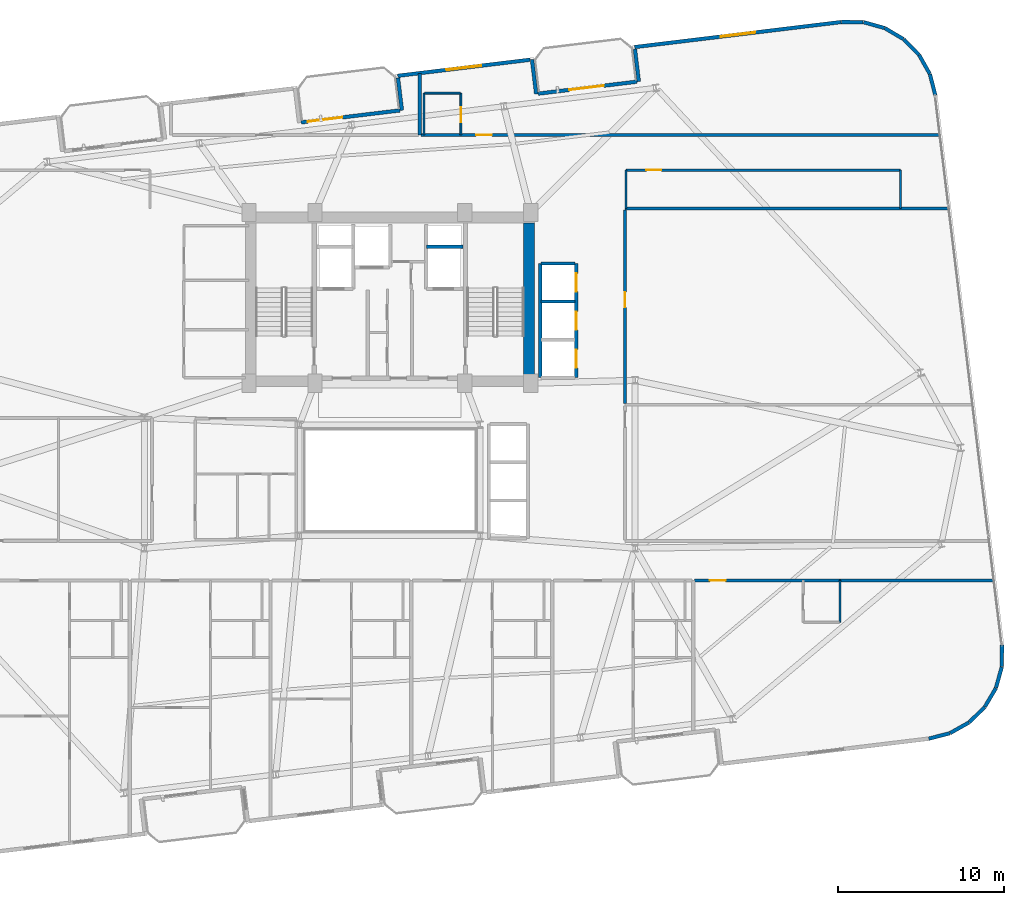
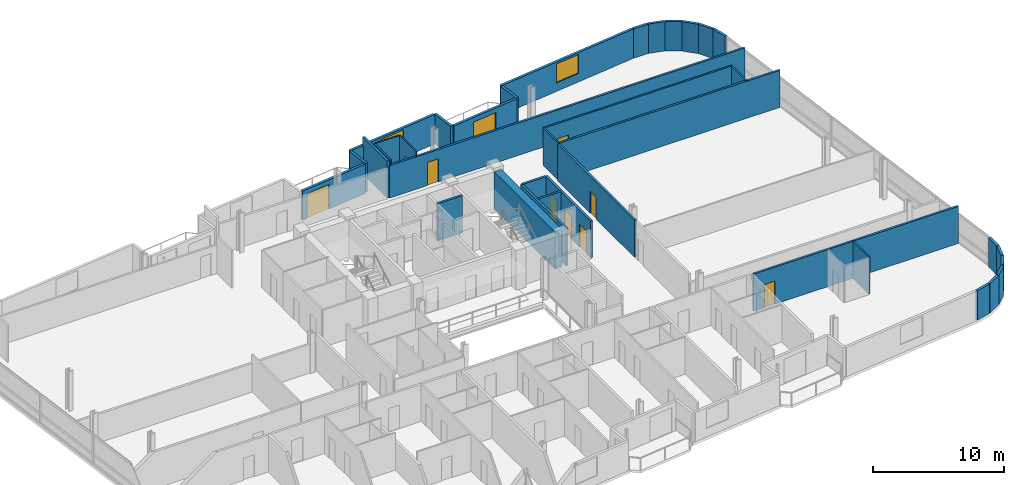
# One storey, part 18 of 23: 37 walls, 10 doors, 2 windows, 12 openings.
"""IFC4 building model written with IfcOpenShell, lengths in metres."""

import ifcopenshell
import ifcopenshell.guid

model = None  # the IFC model being written
_history = None  # IfcOwnerHistory: only IFC2X3 demands one
_inside = {}  # id of a spatial element -> (the spatial element, [elements in it])
_under = {}  # id of a project, library or spatial element -> (it, [spatial elements below it])
_declared = {}  # id of a project -> (the project, [libraries it declares])
_typed = {}  # id of a type object -> (the type object, [elements of that type])
_made_of = {}  # id of a material, layer set ... -> (it, [elements and type objects made of it])


def new_model(schema):
    """Start an empty IFC model of exactly this schema.

    Asked for "IFC4X3", IfcOpenShell would pick the latest addendum, in which some entities
    have other attributes; the version numbers below select the first issue.
    IFC2X3 requires an IfcOwnerHistory on every rooted entity: one is made here for all.
    """
    global model, _history
    if schema == "IFC4X3":
        model = ifcopenshell.file(schema_version=(4, 3, 0, 0))
    else:
        model = ifcopenshell.file(schema=schema)
    _inside.clear()
    _under.clear()
    _declared.clear()
    _typed.clear()
    _made_of.clear()
    _history = None
    if model.schema == "IFC2X3":
        org = make("IfcOrganization", Name="unknown")
        user = make(
            "IfcPersonAndOrganization",
            ThePerson=make("IfcPerson", FamilyName="unknown"),
            TheOrganization=org,
        )
        app = make(
            "IfcApplication",
            ApplicationDeveloper=org,
            Version="unknown",
            ApplicationFullName="unknown",
            ApplicationIdentifier="unknown",
        )
        _history = make(
            "IfcOwnerHistory",
            OwningUser=user,
            OwningApplication=app,
            ChangeAction="ADDED",
            CreationDate=0,
        )
    return model


def make(cls, **values):
    """One entity of the class cls with the attributes given. An attribute that is None is left unset."""
    return model.create_entity(
        cls, **{name: value for name, value in values.items() if value is not None}
    )


def rooted(cls, **values):
    """An entity with a GlobalId (a new one), such as an element, a storey or a relation."""
    return make(cls, GlobalId=ifcopenshell.guid.new(), OwnerHistory=_history, **values)


def si_unit(unit_type, name, prefix=None):
    """IfcSIUnit, for example si_unit("LENGTHUNIT", "METRE", prefix="MILLI")."""
    return make("IfcSIUnit", UnitType=unit_type, Prefix=prefix, Name=name)


def assignment(units):
    """IfcUnitAssignment: the units of a project."""
    return None if units is None else make("IfcUnitAssignment", Units=units)


def point(xyz):
    """IfcCartesianPoint."""
    return None if xyz is None else make("IfcCartesianPoint", Coordinates=xyz)


def direction(xyz):
    """IfcDirection."""
    return None if xyz is None else make("IfcDirection", DirectionRatios=xyz)


def frame(location, z_axis=None, x_axis=None):
    """IfcAxis2Placement3D, a coordinate frame: its origin and axes. An axis left out is left unset."""
    return make(
        "IfcAxis2Placement3D",
        Location=point(location),
        Axis=direction(z_axis),
        RefDirection=direction(x_axis),
    )


def frame_2d(location, x_axis=None):
    """IfcAxis2Placement2D, a coordinate frame in the plane: its origin and x axis."""
    return make(
        "IfcAxis2Placement2D", Location=point(location), RefDirection=direction(x_axis)
    )


def origin():
    """The frame at (0, 0, 0) with its axes left unset."""
    return frame((0.0, 0.0, 0.0))


def place(relative_to, where):
    """IfcLocalPlacement: puts the frame where relative to a parent placement (None: the world)."""
    return make(
        "IfcLocalPlacement", PlacementRelTo=relative_to, RelativePlacement=where
    )


def context(
    kind, dimensions, precision=None, world=None, true_north=None, identifier=None
):
    """IfcGeometricRepresentationContext, for example the 3D "Model" context."""
    return make(
        "IfcGeometricRepresentationContext",
        ContextIdentifier=identifier,
        ContextType=kind,
        CoordinateSpaceDimension=dimensions,
        Precision=precision,
        WorldCoordinateSystem=world,
        TrueNorth=true_north,
    )


def subcontext(parent, identifier, kind, view, scale=None):
    """IfcGeometricRepresentationSubContext, for example "Body" below "Model"."""
    return make(
        "IfcGeometricRepresentationSubContext",
        ContextIdentifier=identifier,
        ContextType=kind,
        ParentContext=parent,
        TargetScale=scale,
        TargetView=view,
    )


def project(units=None, contexts=None):
    """IfcProject with its units and contexts."""
    return rooted(
        "IfcProject",
        Name="project",
        RepresentationContexts=contexts,
        UnitsInContext=assignment(units),
    )


def spatial(cls, under=None, at=None, **own):
    """A site, building, storey or space (cls), placed at a placement, below another one or the project."""
    s = rooted(cls, ObjectPlacement=at, **own)
    if under is not None:
        _under.setdefault(under.id(), (under, []))[1].append(s)
    return s


def profile(cls, at=None, kind="AREA", **sizes):
    """A parametric profile (cls). Its sizes go by their IFC names, for example OverallWidth=200.0."""
    return make(cls, ProfileType=kind, Position=at, **sizes)


def rectangle(**sizes):
    """IfcRectangleProfileDef."""
    return profile("IfcRectangleProfileDef", **sizes)


def extrude(swept, where, along, depth):
    """IfcExtrudedAreaSolid: the profile swept, set in the frame where, extruded along a direction by depth."""
    return make(
        "IfcExtrudedAreaSolid",
        SweptArea=swept,
        Position=where,
        ExtrudedDirection=direction(along),
        Depth=depth,
    )


def shape(context_of_items, identifier, shape_type, items):
    """IfcShapeRepresentation: the items that make up one representation, for example the "Body"."""
    return make(
        "IfcShapeRepresentation",
        ContextOfItems=context_of_items,
        RepresentationIdentifier=identifier,
        RepresentationType=shape_type,
        Items=items,
    )


def material(Name=None, Category=None):
    """IfcMaterial."""
    return make("IfcMaterial", Name=Name, Category=Category)


def layer(
    of_material, thickness, ventilated=None, Name=None, Category=None, Priority=None
):
    """IfcMaterialLayer: one layer of a wall or slab, of a material (None: an air gap)."""
    return make(
        "IfcMaterialLayer",
        Material=of_material,
        LayerThickness=thickness,
        IsVentilated=ventilated,
        Name=Name,
        Category=Category,
        Priority=Priority,
    )


def layer_set(layers, Name=None):
    """IfcMaterialLayerSet."""
    return make("IfcMaterialLayerSet", MaterialLayers=layers, LayerSetName=Name)


def made_of(thing, what):
    """Note that an element or type object is made of a material, layer set ...; save() writes the relation."""
    if what is not None:
        _made_of.setdefault(what.id(), (what, []))[1].append(thing)
    return thing


def type_object(cls, material=None, **own):
    """A type object (cls), such as IfcWallType, which elements share."""
    return made_of(rooted(cls, **own), material)


def element(
    cls,
    number,
    at=None,
    inside=None,
    cuts=None,
    type_object=None,
    material=None,
    context=None,
    identifier="Body",
    shape_type=None,
    held_by="IfcProductDefinitionShape",
    body=None,
    shapes=None,
    **own,
):
    """One element of the class cls, such as IfcWall. Its Tag is "e" and its number.

    at: its placement. inside: the storey or other place that contains it. cuts: it is an
    opening in that element (IfcRelVoidsElement). A single representation is given by context,
    identifier, shape_type and body (its items); several are given by shapes. held_by: the class
    of the entity that holds the representations. save() writes the other relations.
    """
    e = rooted(cls, Tag="e%d" % number, ObjectPlacement=at, **own)
    if body is not None:
        shapes = [shape(context, identifier, shape_type, body)]
    if shapes is not None:
        e.Representation = make(held_by, Representations=shapes)
    if inside is not None:
        _inside.setdefault(inside.id(), (inside, []))[1].append(e)
    if cuts is not None:
        rooted(
            "IfcRelVoidsElement", RelatingBuildingElement=cuts, RelatedOpeningElement=e
        )
    if type_object is not None:
        _typed.setdefault(type_object.id(), (type_object, []))[1].append(e)
    return made_of(e, material)


def fill(opening, filler):
    """IfcRelFillsElement: the door or window that sits in an opening."""
    return rooted(
        "IfcRelFillsElement",
        RelatingOpeningElement=opening,
        RelatedBuildingElement=filler,
    )


def aggregate(whole, parts):
    """IfcRelAggregates: a whole, such as a stair, and the parts it consists of."""
    return rooted("IfcRelAggregates", RelatingObject=whole, RelatedObjects=parts)


def save(model, path):
    """Write the relations noted so far, then the file.

    IfcRelAggregates (storeys below a building ...), IfcRelContainedInSpatialStructure (elements
    in a storey), IfcRelDefinesByType, IfcRelAssociatesMaterial and IfcRelDeclares: one each for
    every whole, place, type object, material and project.
    """
    for whole, parts in _under.values():
        aggregate(whole, parts)
    for where, things in _inside.values():
        rooted(
            "IfcRelContainedInSpatialStructure",
            RelatedElements=things,
            RelatingStructure=where,
        )
    for kind, things in _typed.values():
        rooted("IfcRelDefinesByType", RelatedObjects=things, RelatingType=kind)
    for what, things in _made_of.values():
        rooted("IfcRelAssociatesMaterial", RelatedObjects=things, RelatingMaterial=what)
    for by, libraries in _declared.values():
        rooted("IfcRelDeclares", RelatingContext=by, RelatedDefinitions=libraries)
    model.write(path)


model = new_model("IFC4")

# Units and contexts
model_context = context("Model", 3, precision=1e-05, world=origin(), true_north=direction((0.0, 1.0)))
body_context = subcontext(model_context, "Body", "Model", "MODEL_VIEW")
ifc_project = project(units=[si_unit("LENGTHUNIT", "METRE"), si_unit("AREAUNIT", "SQUARE_METRE"), si_unit("VOLUMEUNIT", "CUBIC_METRE"), si_unit("PLANEANGLEUNIT", "RADIAN"), si_unit("MASSUNIT", "GRAM", prefix="KILO")], contexts=[model_context])

# Site, building, storey
site_placement = place(None, origin())
site = spatial("IfcSite", under=ifc_project, at=site_placement, CompositionType="ELEMENT")
building_placement = place(site_placement, origin())
building = spatial("IfcBuilding", under=site, at=building_placement, Name="Varnelok Gate Tower", CompositionType="ELEMENT")
storey_placement = place(building_placement, frame((0.0, 0.0, 189.39990234375)))
storey = spatial("IfcBuildingStorey", under=building, at=storey_placement, Name="L48", CompositionType="ELEMENT", Elevation=189.39990234375)

# Wall, opening, door
ifc_material_1 = material(Name="Concrete C45/55", Category="concrete")
ifc_layer_1 = layer(ifc_material_1, 0.219970703125)
ifc_layer_set_1 = layer_set([ifc_layer_1], Name="Concrete C45/55")
wall_type_1 = type_object("IfcWallType", Name="EW-BALC-220", PredefinedType="SOLIDWALL", material=ifc_layer_set_1)
wall_1_placement = place(storey_placement, frame((33.852294921875, 44.48583984375, 0.0), z_axis=(0.0, 0.0, 1.0), x_axis=(0.992729951822, 0.120362962556, 0.0)))
wall_1 = element("IfcWall", 1, at=wall_1_placement, inside=storey, type_object=wall_type_1, Name="L48 North Terrace Envelope Wall 5", PredefinedType="SOLIDWALL", context=body_context, shape_type="SweptSolid", body=[
    extrude(rectangle(XDim=6.0, YDim=0.219970703125, at=frame_2d((3.0, 0.0))), origin(), (0.0, 0.0, 1.0), 2.72998046875),
])
opening_1_placement = place(wall_1_placement, frame((0.39990234375, 0.0, 0.0)))
opening_1 = element("IfcOpeningElement", 2, at=opening_1_placement, cuts=wall_1, Name="Opening BD-2", PredefinedType="OPENING", context=body_context, shape_type="SweptSolid", body=[
    extrude(rectangle(XDim=2.10009765625, YDim=2.300048828125, at=frame_2d((1.050048828125, 1.14990234375))), frame((0.0, 0.119873046875, 0.0), z_axis=(0.0, -1.0, 0.0), x_axis=(1.0, 0.0, 0.0)), (0.0, 0.0, 1.0), 0.239990234375),
])
ifc_material_2 = material(Name="Anodized Aluminum Alloy 6063-T6", Category="aluminium")
door_type_1 = type_object("IfcDoorType", Name="DR-EXT-SLID2100", OperationType="SLIDING_TO_LEFT", PredefinedType="DOOR", material=ifc_material_2)
door_1_placement = place(opening_1_placement, origin())
door_1 = element("IfcDoor", 3, at=door_1_placement, inside=storey, type_object=door_type_1, Name="L48 North Balcony Glazed Door 5", OperationType="SLIDING_TO_LEFT", OverallHeight=2.300048828125, OverallWidth=2.10009765625, PredefinedType="DOOR", context=body_context, shape_type="SweptSolid", body=[
    extrude(rectangle(XDim=2.10009765625, YDim=2.300048828125, at=frame_2d((1.050048828125, 1.14990234375))), frame((0.0, 0.02490234375, 0.0), z_axis=(0.0, -1.0, 0.0), x_axis=(1.0, 0.0, 0.0)), (0.0, 0.0, 1.0), 0.050048828125),
])
fill(opening_1, door_1)

wall_2_placement = place(storey_placement, frame((48.147705078125, 46.21875, 0.0), z_axis=(0.0, 0.0, 1.0), x_axis=(0.992729951822, 0.120362962556, 0.0)))
wall_2 = element("IfcWall", 4, at=wall_2_placement, inside=storey, type_object=wall_type_1, Name="L48 North Terrace Envelope Wall 6", PredefinedType="SOLIDWALL", context=body_context, shape_type="SweptSolid", body=[
    extrude(rectangle(XDim=6.0, YDim=0.219970703125, at=frame_2d((3.0, 0.0))), origin(), (0.0, 0.0, 1.0), 2.72998046875),
])
opening_2_placement = place(wall_2_placement, frame((1.887939453125, 0.0, 0.0)))
opening_2 = element("IfcOpeningElement", 5, at=opening_2_placement, cuts=wall_2, Name="Opening BD-2", PredefinedType="OPENING", context=body_context, shape_type="SweptSolid", body=[
    extrude(rectangle(XDim=2.10009765625, YDim=2.300048828125, at=frame_2d((1.050048828125, 1.14990234375))), frame((0.0, 0.119873046875, 0.0), z_axis=(0.0, -1.0, 0.0), x_axis=(1.0, 0.0, 0.0)), (0.0, 0.0, 1.0), 0.239990234375),
])
door_2_placement = place(opening_2_placement, origin())
door_2 = element("IfcDoor", 6, at=door_2_placement, inside=storey, type_object=door_type_1, Name="L48 North Balcony Glazed Door 6", OperationType="SLIDING_TO_LEFT", OverallHeight=2.300048828125, OverallWidth=2.10009765625, PredefinedType="DOOR", context=body_context, shape_type="SweptSolid", body=[
    extrude(rectangle(XDim=2.10009765625, YDim=2.300048828125, at=frame_2d((1.050048828125, 1.14990234375))), frame((0.0, 0.02490234375, 0.0), z_axis=(0.0, -1.0, 0.0), x_axis=(1.0, 0.0, 0.0)), (0.0, 0.0, 1.0), 0.050048828125),
])
fill(opening_2, door_2)

# Walls
wall_3_placement = place(storey_placement, frame((71.71875, 7.305908203125, 0.0), z_axis=(0.0, 0.0, 1.0), x_axis=(0.968541764193, 0.248851061909, 0.0)))
element("IfcWall", 7, at=wall_3_placement, inside=storey, type_object=wall_type_1, Name="L48 Perimeter Facade Closure Wall 17", PredefinedType="SOLIDWALL", context=body_context, shape_type="SweptSolid", body=[
    extrude(rectangle(XDim=1.308837890625, YDim=0.219970703125, at=frame_2d((0.654296875, 0.0))), origin(), (0.0, 0.0, 1.0), 2.72998046875),
])
for number, where, z_axis, x_axis, name in (
    (8, (73.00830078125, 7.64404296875, 0.0), (0.0, 0.0, 1.0), (0.87105877335, 0.491178799797, 0.0), "L48 Perimeter Facade Closure Wall 18"),
    (9, (74.1591796875, 8.30029296875, 0.0), (0.0, 0.0, 1.0), (0.714295394827, 0.699844331926, 0.0), "L48 Perimeter Facade Closure Wall 19"),
    (10, (75.101318359375, 9.232177734375, 0.0), (0.0, 0.0, 1.0), (0.508798863936, 0.860885425627, 0.0), "L48 Perimeter Facade Closure Wall 20"),
    (11, (75.77001953125, 10.376220703125, 0.0), (0.0, 0.0, 1.0), (0.26859243053, 0.963253915778, 0.0), "L48 Perimeter Facade Closure Wall 21"),
):
    element("IfcWall", number, at=place(storey_placement, frame(where, z_axis=z_axis, x_axis=x_axis)), inside=storey, type_object=wall_type_1, Name=name, PredefinedType="SOLIDWALL", context=body_context, shape_type="SweptSolid", body=[
        extrude(rectangle(XDim=1.30078125, YDim=0.219970703125, at=frame_2d((0.650390625, 0.0))), origin(), (0.0, 0.0, 1.0), 2.72998046875),
    ])
wall_4_placement = place(storey_placement, frame((76.11962890625, 11.654052734375, 0.0), z_axis=(0.0, 0.0, 1.0), x_axis=(0.01032033607, 0.999946743914, 0.0)))
element("IfcWall", 12, at=wall_4_placement, inside=storey, type_object=wall_type_1, Name="L48 Perimeter Facade Closure Wall 22", PredefinedType="SOLIDWALL", context=body_context, shape_type="SweptSolid", body=[
    extrude(rectangle(XDim=1.301025390625, YDim=0.219970703125, at=frame_2d((0.650390625, 0.0))), origin(), (0.0, 0.0, 1.0), 2.72998046875),
])
wall_5_placement = place(storey_placement, frame((72.113525390625, 46.1123046875, 0.0), z_axis=(0.0, 0.0, 1.0), x_axis=(-0.248942347653, 0.968518305219, 0.0)))
element("IfcWall", 13, at=wall_5_placement, inside=storey, type_object=wall_type_1, Name="L48 Perimeter Facade Closure Wall 23", PredefinedType="SOLIDWALL", context=body_context, shape_type="SweptSolid", body=[
    extrude(rectangle(XDim=1.325927734375, YDim=0.219970703125, at=frame_2d((0.6630859375, 0.0))), origin(), (0.0, 0.0, 1.0), 2.72998046875),
])
wall_6_placement = place(storey_placement, frame((71.771240234375, 47.418212890625, 0.0), z_axis=(0.0, 0.0, 1.0), x_axis=(-0.491098509465, 0.871104043155, 0.0)))
element("IfcWall", 14, at=wall_6_placement, inside=storey, type_object=wall_type_1, Name="L48 Perimeter Facade Closure Wall 24", PredefinedType="SOLIDWALL", context=body_context, shape_type="SweptSolid", body=[
    extrude(rectangle(XDim=1.301025390625, YDim=0.219970703125, at=frame_2d((0.650390625, 0.0))), origin(), (0.0, 0.0, 1.0), 2.72998046875),
])
wall_7_placement = place(storey_placement, frame((71.114990234375, 48.5693359375, 0.0), z_axis=(0.0, 0.0, 1.0), x_axis=(-0.699844331926, 0.714295394827, 0.0)))
element("IfcWall", 15, at=wall_7_placement, inside=storey, type_object=wall_type_1, Name="L48 Perimeter Facade Closure Wall 25", PredefinedType="SOLIDWALL", context=body_context, shape_type="SweptSolid", body=[
    extrude(rectangle(XDim=1.30078125, YDim=0.219970703125, at=frame_2d((0.650390625, 0.0))), origin(), (0.0, 0.0, 1.0), 2.72998046875),
])
wall_8_placement = place(storey_placement, frame((70.18310546875, 49.51123046875, 0.0), z_axis=(0.0, 0.0, 1.0), x_axis=(-0.860933999601, 0.508716668029, 0.0)))
element("IfcWall", 16, at=wall_8_placement, inside=storey, type_object=wall_type_1, Name="L48 Perimeter Facade Closure Wall 26", PredefinedType="SOLIDWALL", context=body_context, shape_type="SweptSolid", body=[
    extrude(rectangle(XDim=1.301025390625, YDim=0.219970703125, at=frame_2d((0.650390625, 0.0))), origin(), (0.0, 0.0, 1.0), 2.72998046875),
])
wall_9_placement = place(storey_placement, frame((69.0390625, 50.179931640625, 0.0), z_axis=(0.0, 0.0, 1.0), x_axis=(-0.963205341366, 0.26876657226, 0.0)))
element("IfcWall", 17, at=wall_9_placement, inside=storey, type_object=wall_type_1, Name="L48 Perimeter Facade Closure Wall 27", PredefinedType="SOLIDWALL", context=body_context, shape_type="SweptSolid", body=[
    extrude(rectangle(XDim=1.30078125, YDim=0.219970703125, at=frame_2d((0.650390625, 0.0))), origin(), (0.0, 0.0, 1.0), 2.72998046875),
])
wall_10_placement = place(storey_placement, frame((67.760986328125, 50.52978515625, 0.0), z_axis=(0.0, 0.0, 1.0), x_axis=(-0.999947358106, 0.010260653861, 0.0)))
element("IfcWall", 18, at=wall_10_placement, inside=storey, type_object=wall_type_1, Name="L48 Perimeter Facade Closure Wall 28", PredefinedType="SOLIDWALL", context=body_context, shape_type="SweptSolid", body=[
    extrude(rectangle(XDim=1.30859375, YDim=0.219970703125, at=frame_2d((0.654296875, 0.0))), origin(), (0.0, 0.0, 1.0), 2.72998046875),
])

# Wall, opening, window
wall_11_placement = place(storey_placement, frame((66.427490234375, 50.5400390625, 0.0), z_axis=(0.0, 0.0, 1.0), x_axis=(-0.992731739233, -0.120348219431, 0.0)))
wall_11 = element("IfcWall", 19, at=wall_11_placement, inside=storey, type_object=wall_type_1, Name="L48 Perimeter Facade Closure Wall 29", PredefinedType="SOLIDWALL", context=body_context, shape_type="SweptSolid", body=[
    extrude(rectangle(XDim=12.547119140625, YDim=0.219970703125, at=frame_2d((6.2734375, 0.0))), origin(), (0.0, 0.0, 1.0), 2.72998046875),
])
opening_3_placement = place(wall_11_placement, frame((5.2236328125, 0.0, 0.800048828125)))
opening_3 = element("IfcOpeningElement", 20, at=opening_3_placement, cuts=wall_11, Name="Opening WN4", PredefinedType="OPENING", context=body_context, shape_type="SweptSolid", body=[
    extrude(rectangle(XDim=2.10009765625, YDim=1.75, at=frame_2d((1.050048828125, 0.875))), frame((0.0, 0.119873046875, 0.0), z_axis=(0.0, -1.0, 0.0), x_axis=(1.0, 0.0, 0.0)), (0.0, 0.0, 1.0), 0.239990234375),
])
ifc_material_3 = material(Name="Low-E Laminated Double Glazing IGU", Category="glass")
window_type = type_object("IfcWindowType", Name="WN-SUI-2100", PartitioningType="SINGLE_PANEL", PredefinedType="WINDOW", material=ifc_material_3)
window_1_placement = place(opening_3_placement, origin())
window_1 = element("IfcWindow", 21, at=window_1_placement, inside=storey, type_object=window_type, Name="L48 Perimeter Vision Window 29", OverallHeight=1.75, OverallWidth=2.10009765625, PartitioningType="SINGLE_PANEL", PredefinedType="WINDOW", context=body_context, shape_type="SweptSolid", body=[
    extrude(rectangle(XDim=2.10009765625, YDim=1.75, at=frame_2d((1.050048828125, 0.875))), frame((0.0, 0.030029296875, 0.0), z_axis=(0.0, -1.0, 0.0), x_axis=(1.0, 0.0, 0.0)), (0.0, 0.0, 1.0), 0.06005859375),
])
fill(opening_3, window_1)

# Walls
wall_12_placement = place(storey_placement, frame((53.986572265625, 48.906005859375, 0.0), z_axis=(0.0, 0.0, 1.0), x_axis=(0.120397815541, -0.992725725472, 0.0)))
element("IfcWall", 22, at=wall_12_placement, inside=storey, type_object=wall_type_1, Name="L48 Perimeter Facade Closure Wall 30", PredefinedType="SOLIDWALL", context=body_context, shape_type="SweptSolid", body=[
    extrude(rectangle(XDim=1.97509765625, YDim=0.219970703125, at=frame_2d((0.987548828125, 0.0))), origin(), (0.0, 0.0, 1.0), 2.72998046875),
])
wall_13_placement = place(storey_placement, frame((48.029541015625, 46.1943359375, 0.0), z_axis=(0.0, 0.0, 1.0), x_axis=(-0.120314009587, 0.992735885871, 0.0)))
element("IfcWall", 23, at=wall_13_placement, inside=storey, type_object=wall_type_1, Name="L48 Perimeter Facade Closure Wall 31", PredefinedType="SOLIDWALL", context=body_context, shape_type="SweptSolid", body=[
    extrude(rectangle(XDim=2.10009765625, YDim=0.219970703125, at=frame_2d((1.050048828125, 0.0))), origin(), (0.0, 0.0, 1.0), 2.72998046875),
])

# Wall, opening, window
wall_14_placement = place(storey_placement, frame((47.65283203125, 48.26416015625, 0.0), z_axis=(0.0, 0.0, 1.0), x_axis=(-0.992731032022, -0.120354052946, 0.0)))
wall_14 = element("IfcWall", 24, at=wall_14_placement, inside=storey, type_object=wall_type_1, Name="L48 Perimeter Facade Closure Wall 32", PredefinedType="SOLIDWALL", context=body_context, shape_type="SweptSolid", body=[
    extrude(rectangle(XDim=8.034912109375, YDim=0.219970703125, at=frame_2d((4.017578125, 0.0))), origin(), (0.0, 0.0, 1.0), 2.72998046875),
])
opening_4_placement = place(wall_14_placement, frame((2.967529296875, 0.0, 0.800048828125)))
opening_4 = element("IfcOpeningElement", 25, at=opening_4_placement, cuts=wall_14, Name="Opening WN4", PredefinedType="OPENING", context=body_context, shape_type="SweptSolid", body=[
    extrude(rectangle(XDim=2.10009765625, YDim=1.75, at=frame_2d((1.050048828125, 0.875))), frame((0.0, 0.119873046875, 0.0), z_axis=(0.0, -1.0, 0.0), x_axis=(1.0, 0.0, 0.0)), (0.0, 0.0, 1.0), 0.239990234375),
])
window_2_placement = place(opening_4_placement, origin())
window_2 = element("IfcWindow", 26, at=window_2_placement, inside=storey, type_object=window_type, Name="L48 Perimeter Vision Window 32", OverallHeight=1.75, OverallWidth=2.10009765625, PartitioningType="SINGLE_PANEL", PredefinedType="WINDOW", context=body_context, shape_type="SweptSolid", body=[
    extrude(rectangle(XDim=2.10009765625, YDim=1.75, at=frame_2d((1.050048828125, 0.875))), frame((0.0, 0.030029296875, 0.0), z_axis=(0.0, -1.0, 0.0), x_axis=(1.0, 0.0, 0.0)), (0.0, 0.0, 1.0), 0.06005859375),
])
fill(opening_4, window_2)

# Wall
wall_15_placement = place(storey_placement, frame((39.691162109375, 47.173095703125, 0.0), z_axis=(0.0, 0.0, 1.0), x_axis=(0.120397815541, -0.992725725472, 0.0)))
element("IfcWall", 27, at=wall_15_placement, inside=storey, type_object=wall_type_1, Name="L48 Perimeter Facade Closure Wall 33", PredefinedType="SOLIDWALL", context=body_context, shape_type="SweptSolid", body=[
    extrude(rectangle(XDim=1.97509765625, YDim=0.219970703125, at=frame_2d((0.987548828125, 0.0))), origin(), (0.0, 0.0, 1.0), 2.72998046875),
])

# Wall, opening, door
ifc_material_4 = material(Name="Gypsum Plasterboard Acoustic Partition", Category="gypsum")
ifc_layer_2 = layer(ifc_material_4, 0.179931640625)
ifc_layer_set_2 = layer_set([ifc_layer_2], Name="Gypsum Plasterboard Acoustic Partition")
wall_type_2 = type_object("IfcWallType", Name="PW-CORR-180", PredefinedType="PARTITIONING", material=ifc_layer_set_2)
wall_16_placement = place(storey_placement, frame((57.580078125, 16.85009765625, 0.0), z_axis=(0.0, 0.0, 1.0), x_axis=(1.0, 0.0, 0.0)))
wall_16 = element("IfcWall", 28, at=wall_16_placement, inside=storey, type_object=wall_type_2, Name="Interior Partition", PredefinedType="PARTITIONING", context=body_context, shape_type="SweptSolid", body=[
    extrude(rectangle(XDim=18.021728515625, YDim=0.179931640625, at=frame_2d((9.0107421875, 0.0))), origin(), (0.0, 0.0, 1.0), 3.4501953125),
])
opening_5_placement = place(wall_16_placement, frame((0.9345703125, 0.0, 0.0)))
opening_5 = element("IfcOpeningElement", 29, at=opening_5_placement, cuts=wall_16, Name="Opening D-HT", PredefinedType="OPENING", context=body_context, shape_type="SweptSolid", body=[
    extrude(rectangle(XDim=0.949951171875, YDim=2.14990234375, at=frame_2d((0.47509765625, 1.074951171875))), frame((0.0, 0.099853515625, 0.0), z_axis=(0.0, -1.0, 0.0), x_axis=(1.0, 0.0, 0.0)), (0.0, 0.0, 1.0), 0.199951171875),
])
ifc_material_5 = material(Name="Engineered Hardwood Timber", Category="wood")
door_type_2 = type_object("IfcDoorType", Name="DR-HTL-950", OperationType="NOTDEFINED", PredefinedType="DOOR", material=ifc_material_5)
door_3_placement = place(opening_5_placement, origin())
door_3 = element("IfcDoor", 30, at=door_3_placement, inside=storey, type_object=door_type_2, Name="L48 Guest Room 07 Entrance Door", OperationType="SINGLE_SWING_RIGHT", OverallHeight=2.14990234375, OverallWidth=0.949951171875, PredefinedType="DOOR", context=body_context, shape_type="SweptSolid", body=[
    extrude(rectangle(XDim=0.949951171875, YDim=2.14990234375, at=frame_2d((0.47509765625, 1.074951171875))), frame((0.0, 0.02490234375, 0.0), z_axis=(0.0, -1.0, 0.0), x_axis=(1.0, 0.0, 0.0)), (0.0, 0.0, 1.0), 0.050048828125),
])
fill(opening_5, door_3)

wall_17_placement = place(storey_placement, frame((41.080078125, 43.72998046875, 0.0), z_axis=(0.0, 0.0, 1.0), x_axis=(1.0, 0.0, 0.0)))
wall_17 = element("IfcWall", 31, at=wall_17_placement, inside=storey, type_object=wall_type_2, Name="Interior Partition", PredefinedType="PARTITIONING", context=body_context, shape_type="SweptSolid", body=[
    extrude(rectangle(XDim=31.26318359375, YDim=0.179931640625, at=frame_2d((15.631591796875, 0.0))), origin(), (0.0, 0.0, 1.0), 3.01806640625),
])
opening_6_placement = place(wall_17_placement, frame((3.328857421875, 0.0, 0.0)))
opening_6 = element("IfcOpeningElement", 32, at=opening_6_placement, cuts=wall_17, Name="Opening D-HT", PredefinedType="OPENING", context=body_context, shape_type="SweptSolid", body=[
    extrude(rectangle(XDim=0.949951171875, YDim=2.14990234375, at=frame_2d((0.47509765625, 1.074951171875))), frame((0.0, 0.099853515625, 0.0), z_axis=(0.0, -1.0, 0.0), x_axis=(1.0, 0.0, 0.0)), (0.0, 0.0, 1.0), 0.199951171875),
])
door_4_placement = place(opening_6_placement, origin())
door_4 = element("IfcDoor", 33, at=door_4_placement, inside=storey, type_object=door_type_2, Name="L48 Guest Room 10 Entrance Door", OperationType="SINGLE_SWING_LEFT", OverallHeight=2.14990234375, OverallWidth=0.949951171875, PredefinedType="DOOR", context=body_context, shape_type="SweptSolid", body=[
    extrude(rectangle(XDim=0.949951171875, YDim=2.14990234375, at=frame_2d((0.47509765625, 1.074951171875))), frame((0.0, 0.02490234375, 0.0), z_axis=(0.0, -1.0, 0.0), x_axis=(1.0, 0.0, 0.0)), (0.0, 0.0, 1.0), 0.050048828125),
])
fill(opening_6, door_4)

wall_18_placement = place(storey_placement, frame((53.389892578125, 27.530029296875, 0.0), z_axis=(0.0, 0.0, 1.0), x_axis=(0.0, 1.0, 0.0)))
wall_18 = element("IfcWall", 34, at=wall_18_placement, inside=storey, type_object=wall_type_2, Name="Interior Partition", PredefinedType="PARTITIONING", context=body_context, shape_type="SweptSolid", body=[
    extrude(rectangle(XDim=11.669921875, YDim=0.179931640625, at=frame_2d((5.8349609375, 0.0))), origin(), (0.0, 0.0, 1.0), 3.4501953125),
])
opening_7_placement = place(wall_18_placement, frame((5.800048828125, 0.0, 0.0)))
opening_7 = element("IfcOpeningElement", 35, at=opening_7_placement, cuts=wall_18, Name="Opening D-I3", PredefinedType="OPENING", context=body_context, shape_type="SweptSolid", body=[
    extrude(rectangle(XDim=0.919921875, YDim=2.050048828125, at=frame_2d((0.4599609375, 1.02490234375))), frame((0.0, 0.099853515625, 0.0), z_axis=(0.0, -1.0, 0.0), x_axis=(1.0, 0.0, 0.0)), (0.0, 0.0, 1.0), 0.199951171875),
])
door_type_3 = type_object("IfcDoorType", Name="DR-INT-920", OperationType="NOTDEFINED", PredefinedType="DOOR", material=ifc_material_5)
door_5_placement = place(opening_7_placement, origin())
door_5 = element("IfcDoor", 36, at=door_5_placement, inside=storey, type_object=door_type_3, Name="L48 East Suite 2 Door", OperationType="SINGLE_SWING_RIGHT", OverallHeight=2.050048828125, OverallWidth=0.919921875, PredefinedType="DOOR", context=body_context, shape_type="SweptSolid", body=[
    extrude(rectangle(XDim=0.919921875, YDim=2.050048828125, at=frame_2d((0.4599609375, 1.02490234375))), frame((0.0, 0.02490234375, 0.0), z_axis=(0.0, -1.0, 0.0), x_axis=(1.0, 0.0, 0.0)), (0.0, 0.0, 1.0), 0.050048828125),
])
fill(opening_7, door_5)

# Walls
wall_19_placement = place(storey_placement, frame((53.389892578125, 39.300048828125, 0.0), z_axis=(0.0, 0.0, 1.0), x_axis=(1.0, 0.0, 0.0)))
element("IfcWall", 37, at=wall_19_placement, inside=storey, type_object=wall_type_2, Name="Interior Partition", PredefinedType="PARTITIONING", context=body_context, shape_type="SweptSolid", body=[
    extrude(rectangle(XDim=19.490234375, YDim=0.179931640625, at=frame_2d((9.7451171875, 0.0))), origin(), (0.0, 0.0, 1.0), 3.4501953125),
])
ifc_layer_3 = layer(ifc_material_4, 0.114990234375)
ifc_layer_set_3 = layer_set([ifc_layer_3], Name="Gypsum Plasterboard Acoustic Partition")
wall_type_3 = type_object("IfcWallType", Name="PW-ENS-125", PredefinedType="PARTITIONING", material=ifc_layer_set_3)
wall_20_placement = place(storey_placement, frame((66.360107421875, 14.330078125, 0.0), z_axis=(0.0, 0.0, 1.0), x_axis=(0.0, 1.0, 0.0)))
element("IfcWall", 38, at=wall_20_placement, inside=storey, type_object=wall_type_3, Name="Interior Partition", PredefinedType="PARTITIONING", context=body_context, shape_type="SweptSolid", body=[
    extrude(rectangle(XDim=2.52001953125, YDim=0.114990234375, at=frame_2d((1.260009765625, 0.0))), origin(), (0.0, 0.0, 1.0), 3.4501953125),
])
wall_21_placement = place(storey_placement, frame((41.300048828125, 46.25, 0.0), z_axis=(0.0, 0.0, 1.0), x_axis=(1.0, 0.0, 0.0)))
element("IfcWall", 39, at=wall_21_placement, inside=storey, type_object=wall_type_3, Name="Interior Partition", PredefinedType="PARTITIONING", context=body_context, shape_type="SweptSolid", body=[
    extrude(rectangle(XDim=2.14990234375, YDim=0.114990234375, at=frame_2d((1.074951171875, 0.0))), origin(), (0.0, 0.0, 1.0), 3.4501953125),
])

# Wall, opening, door
wall_22_placement = place(storey_placement, frame((43.489990234375, 43.72998046875, 0.0), z_axis=(0.0, 0.0, 1.0), x_axis=(0.0, 1.0, 0.0)))
wall_22 = element("IfcWall", 40, at=wall_22_placement, inside=storey, type_object=wall_type_3, Name="Interior Partition", PredefinedType="PARTITIONING", context=body_context, shape_type="SweptSolid", body=[
    extrude(rectangle(XDim=2.52001953125, YDim=0.114990234375, at=frame_2d((1.260009765625, 0.0))), origin(), (0.0, 0.0, 1.0), 3.4501953125),
])
opening_8_placement = place(wall_22_placement, frame((0.760009765625, 0.0, 0.0)))
opening_8 = element("IfcOpeningElement", 41, at=opening_8_placement, cuts=wall_22, Name="Opening D-WC", PredefinedType="OPENING", context=body_context, shape_type="SweptSolid", body=[
    extrude(rectangle(XDim=0.89990234375, YDim=2.050048828125, at=frame_2d((0.449951171875, 1.02490234375))), frame((0.0, 0.0673828125, 0.0), z_axis=(0.0, -1.0, 0.0), x_axis=(1.0, 0.0, 0.0)), (0.0, 0.0, 1.0), 0.135009765625),
])
door_type_4 = type_object("IfcDoorType", Name="DR-BATH-900", OperationType="NOTDEFINED", PredefinedType="DOOR", material=ifc_material_5)
door_6_placement = place(opening_8_placement, origin())
door_6 = element("IfcDoor", 42, at=door_6_placement, inside=storey, type_object=door_type_4, Name="L48 North En-Suite 10 Door", OperationType="SINGLE_SWING_RIGHT", OverallHeight=2.050048828125, OverallWidth=0.89990234375, PredefinedType="DOOR", context=body_context, shape_type="SweptSolid", body=[
    extrude(rectangle(XDim=0.89990234375, YDim=2.050048828125, at=frame_2d((0.449951171875, 1.02490234375))), frame((0.0, 0.02490234375, 0.0), z_axis=(0.0, -1.0, 0.0), x_axis=(1.0, 0.0, 0.0)), (0.0, 0.0, 1.0), 0.050048828125),
])
fill(opening_8, door_6)

# Walls
wall_23_placement = place(storey_placement, frame((41.260009765625, 43.72998046875, 0.0), z_axis=(0.0, 0.0, 1.0), x_axis=(0.0, 1.0, 0.0)))
element("IfcWall", 43, at=wall_23_placement, inside=storey, type_object=wall_type_3, Name="Interior Partition", PredefinedType="PARTITIONING", context=body_context, shape_type="SweptSolid", body=[
    extrude(rectangle(XDim=2.52001953125, YDim=0.114990234375, at=frame_2d((1.260009765625, 0.0))), origin(), (0.0, 0.0, 1.0), 3.4501953125),
])
ifc_layer_4 = layer(ifc_material_4, 0.125)
ifc_layer_set_4 = layer_set([ifc_layer_4], Name="Gypsum Plasterboard Acoustic Partition")
wall_type_4 = type_object("IfcWallType", Name="PW-PART-125", PredefinedType="PARTITIONING", material=ifc_layer_set_4)
for number, where, z_axis, x_axis, name in (
    (44, (53.449951171875, 39.300048828125, 0.0), (0.0, 0.0, 1.0), (0.0, 1.0, 0.0), "Interior Partition"),
    (45, (70.0, 39.300048828125, 0.0), (0.0, 0.0, 1.0), (0.0, 1.0, 0.0), "Interior Partition"),
):
    element("IfcWall", number, at=place(storey_placement, frame(where, z_axis=z_axis, x_axis=x_axis)), inside=storey, type_object=wall_type_4, Name=name, PredefinedType="PARTITIONING", context=body_context, shape_type="SweptSolid", body=[
        extrude(rectangle(XDim=2.31005859375, YDim=0.125, at=frame_2d((1.155029296875, 0.0))), origin(), (0.0, 0.0, 1.0), 3.4501953125),
    ])

# Wall, opening, door
ifc_layer_5 = layer(ifc_material_4, 0.14990234375)
ifc_layer_set_5 = layer_set([ifc_layer_5], Name="Gypsum Plasterboard Acoustic Partition")
wall_type_5 = type_object("IfcWallType", Name="PW-PART-150", PredefinedType="PARTITIONING", material=ifc_layer_set_5)
wall_24_placement = place(storey_placement, frame((53.449951171875, 41.610107421875, 0.0), z_axis=(0.0, 0.0, 1.0), x_axis=(1.0, 0.0, 0.0)))
wall_24 = element("IfcWall", 46, at=wall_24_placement, inside=storey, type_object=wall_type_5, Name="Interior Partition", PredefinedType="PARTITIONING", context=body_context, shape_type="SweptSolid", body=[
    extrude(rectangle(XDim=16.550048828125, YDim=0.14990234375, at=frame_2d((8.27490234375, 0.0))), origin(), (0.0, 0.0, 1.0), 3.4501953125),
])
opening_9_placement = place(wall_24_placement, frame((1.219970703125, 0.0, 0.0)))
opening_9 = element("IfcOpeningElement", 47, at=opening_9_placement, cuts=wall_24, Name="Opening D-I3", PredefinedType="OPENING", context=body_context, shape_type="SweptSolid", body=[
    extrude(rectangle(XDim=0.919921875, YDim=2.050048828125, at=frame_2d((0.4599609375, 1.02490234375))), frame((0.0, 0.0849609375, 0.0), z_axis=(0.0, -1.0, 0.0), x_axis=(1.0, 0.0, 0.0)), (0.0, 0.0, 1.0), 0.169921875),
])
door_7_placement = place(opening_9_placement, origin())
door_7 = element("IfcDoor", 48, at=door_7_placement, inside=storey, type_object=door_type_3, Name="L48 North Study 2 Door", OperationType="SINGLE_SWING_RIGHT", OverallHeight=2.050048828125, OverallWidth=0.919921875, PredefinedType="DOOR", context=body_context, shape_type="SweptSolid", body=[
    extrude(rectangle(XDim=0.919921875, YDim=2.050048828125, at=frame_2d((0.4599609375, 1.02490234375))), frame((0.0, 0.02490234375, 0.0), z_axis=(0.0, -1.0, 0.0), x_axis=(1.0, 0.0, 0.0)), (0.0, 0.0, 1.0), 0.050048828125),
])
fill(opening_9, door_7)

# Walls
ifc_layer_6 = layer(ifc_material_4, 0.205078125)
ifc_layer_set_6 = layer_set([ifc_layer_6], Name="Gypsum Plasterboard Acoustic Partition")
wall_type_6 = type_object("IfcWallType", Name="PW-PARTY-200", PredefinedType="PARTITIONING", material=ifc_layer_set_6)
wall_25_placement = place(storey_placement, frame((41.0, 43.72998046875, 0.0), z_axis=(0.0, 0.0, 1.0), x_axis=(0.0, 1.0, 0.0)))
element("IfcWall", 49, at=wall_25_placement, inside=storey, type_object=wall_type_6, Name="L48 North Party Wall 2", PredefinedType="PARTITIONING", context=body_context, shape_type="SweptSolid", body=[
    extrude(rectangle(XDim=3.70751953125, YDim=0.205078125, at=frame_2d((1.853759765625, 0.0))), origin(), (0.0, 0.0, 1.0), 3.4501953125),
])
ifc_material_6 = material(Name="Concrete C35/45", Category="concrete")
ifc_layer_7 = layer(ifc_material_6, 0.199951171875)
ifc_layer_set_7 = layer_set([ifc_layer_7], Name="Concrete C35/45")
wall_type_7 = type_object("IfcWallType", Name="PW-SHAFT-200", PredefinedType="PARTITIONING", material=ifc_layer_set_7)
wall_26_placement = place(storey_placement, frame((41.419921875, 36.97998046875, 0.0), z_axis=(0.0, 0.0, 1.0), x_axis=(1.0, 0.0, 0.0)))
element("IfcWall", 50, at=wall_26_placement, inside=storey, type_object=wall_type_7, Name="L48 FF2 Shaft North Wall", PredefinedType="PARTITIONING", context=body_context, shape_type="SweptSolid", body=[
    extrude(rectangle(XDim=2.18017578125, YDim=0.199951171875, at=frame_2d((1.090087890625, 0.0))), origin(), (0.0, 0.0, 1.0), 3.4501953125),
])
for number, where, z_axis, x_axis, name in (
    (51, (48.320068359375, 33.675048828125, 0.0), (0.0, 0.0, 1.0), (1.0, 0.0, 0.0), "L48 PM2 Divider"),
    (52, (48.320068359375, 35.969970703125, 0.0), (0.0, 0.0, 1.0), (1.0, 0.0, 0.0), "L48 PM Bank North Wall"),
):
    element("IfcWall", number, at=place(storey_placement, frame(where, z_axis=z_axis, x_axis=x_axis)), inside=storey, type_object=wall_type_7, Name=name, PredefinedType="PARTITIONING", context=body_context, shape_type="SweptSolid", body=[
        extrude(rectangle(XDim=2.059814453125, YDim=0.199951171875, at=frame_2d((1.02978515625, 0.0))), origin(), (0.0, 0.0, 1.0), 3.4501953125),
    ])
wall_27_placement = place(storey_placement, frame((48.280029296875, 29.080078125, 0.0), z_axis=(0.0, 0.0, 1.0), x_axis=(0.0, 1.0, 0.0)))
element("IfcWall", 53, at=wall_27_placement, inside=storey, type_object=wall_type_7, Name="L48 PM Bank Back Wall", PredefinedType="PARTITIONING", context=body_context, shape_type="SweptSolid", body=[
    extrude(rectangle(XDim=6.889892578125, YDim=0.199951171875, at=frame_2d((3.44482421875, 0.0))), origin(), (0.0, 0.0, 1.0), 3.4501953125),
])

# Wall, openings, doors
wall_28_placement = place(storey_placement, frame((50.43994140625, 29.080078125, 0.0), z_axis=(0.0, 0.0, 1.0), x_axis=(0.0, 1.0, 0.0)))
wall_28 = element("IfcWall", 54, at=wall_28_placement, inside=storey, type_object=wall_type_7, Name="L48 PM Bank Front Wall", PredefinedType="PARTITIONING", context=body_context, shape_type="SweptSolid", body=[
    extrude(rectangle(XDim=6.889892578125, YDim=0.199951171875, at=frame_2d((3.44482421875, 0.0))), origin(), (0.0, 0.0, 1.0), 3.4501953125),
])
opening_10_placement = place(wall_28_placement, frame((0.590087890625, 0.0, 0.0)))
opening_10 = element("IfcOpeningElement", 55, at=opening_10_placement, cuts=wall_28, Name="Opening LD-PM1", PredefinedType="OPENING", context=body_context, shape_type="SweptSolid", body=[
    extrude(rectangle(XDim=1.10009765625, YDim=2.14990234375, at=frame_2d((0.550048828125, 1.074951171875))), frame((0.0, 0.10986328125, 0.0), z_axis=(0.0, -1.0, 0.0), x_axis=(1.0, 0.0, 0.0)), (0.0, 0.0, 1.0), 0.219970703125),
])
opening_11_placement = place(wall_28_placement, frame((2.889892578125, 0.0, 0.0)))
opening_11 = element("IfcOpeningElement", 56, at=opening_11_placement, cuts=wall_28, Name="Opening LD-PM2", PredefinedType="OPENING", context=body_context, shape_type="SweptSolid", body=[
    extrude(rectangle(XDim=1.10009765625, YDim=2.14990234375, at=frame_2d((0.550048828125, 1.074951171875))), frame((0.0, 0.10986328125, 0.0), z_axis=(0.0, -1.0, 0.0), x_axis=(1.0, 0.0, 0.0)), (0.0, 0.0, 1.0), 0.219970703125),
])
opening_12_placement = place(wall_28_placement, frame((5.18994140625, 0.0, 0.0)))
opening_12 = element("IfcOpeningElement", 57, at=opening_12_placement, cuts=wall_28, Name="Opening LD-PM3", PredefinedType="OPENING", context=body_context, shape_type="SweptSolid", body=[
    extrude(rectangle(XDim=1.10009765625, YDim=2.14990234375, at=frame_2d((0.550048828125, 1.074951171875))), frame((0.0, 0.10986328125, 0.0), z_axis=(0.0, -1.0, 0.0), x_axis=(1.0, 0.0, 0.0)), (0.0, 0.0, 1.0), 0.219970703125),
])
ifc_material_7 = material(Name="Galvanized Steel Grade S350GD", Category="steel")
door_type_5 = type_object("IfcDoorType", Name="DR-LIFT-PAX1100", OperationType="SLIDING_TO_LEFT", PredefinedType="DOOR", material=ifc_material_7)
door_8_placement = place(opening_10_placement, origin())
door_8 = element("IfcDoor", 58, at=door_8_placement, inside=storey, type_object=door_type_5, Name="L48 Passenger Lift Landing Door LD-PM1", OperationType="SLIDING_TO_LEFT", OverallHeight=2.14990234375, OverallWidth=1.10009765625, PredefinedType="DOOR", context=body_context, shape_type="SweptSolid", body=[
    extrude(rectangle(XDim=1.10009765625, YDim=2.14990234375, at=frame_2d((0.550048828125, 1.074951171875))), frame((0.0, 0.02490234375, 0.0), z_axis=(0.0, -1.0, 0.0), x_axis=(1.0, 0.0, 0.0)), (0.0, 0.0, 1.0), 0.050048828125),
])
fill(opening_10, door_8)
door_9_placement = place(opening_11_placement, origin())
door_9 = element("IfcDoor", 59, at=door_9_placement, inside=storey, type_object=door_type_5, Name="L48 Passenger Lift Landing Door LD-PM2", OperationType="SLIDING_TO_LEFT", OverallHeight=2.14990234375, OverallWidth=1.10009765625, PredefinedType="DOOR", context=body_context, shape_type="SweptSolid", body=[
    extrude(rectangle(XDim=1.10009765625, YDim=2.14990234375, at=frame_2d((0.550048828125, 1.074951171875))), frame((0.0, 0.02490234375, 0.0), z_axis=(0.0, -1.0, 0.0), x_axis=(1.0, 0.0, 0.0)), (0.0, 0.0, 1.0), 0.050048828125),
])
fill(opening_11, door_9)
door_10_placement = place(opening_12_placement, origin())
door_10 = element("IfcDoor", 60, at=door_10_placement, inside=storey, type_object=door_type_5, Name="L48 Passenger Lift Landing Door LD-PM3", OperationType="SLIDING_TO_LEFT", OverallHeight=2.14990234375, OverallWidth=1.10009765625, PredefinedType="DOOR", context=body_context, shape_type="SweptSolid", body=[
    extrude(rectangle(XDim=1.10009765625, YDim=2.14990234375, at=frame_2d((0.550048828125, 1.074951171875))), frame((0.0, 0.02490234375, 0.0), z_axis=(0.0, -1.0, 0.0), x_axis=(1.0, 0.0, 0.0)), (0.0, 0.0, 1.0), 0.050048828125),
])
fill(opening_12, door_10)

# Wall
ifc_material_8 = material(Name="Concrete C60/75", Category="concrete")
ifc_layer_8 = layer(ifc_material_8, 0.64990234375)
ifc_layer_set_8 = layer_set([ifc_layer_8], Name="Concrete C60/75")
wall_type_8 = type_object("IfcWallType", Name="SW-CORE-650", PredefinedType="SHEAR", material=ifc_layer_set_8)
wall_29_placement = place(storey_placement, frame((47.594970703125, 29.199951171875, 0.0), z_axis=(0.0, 0.0, 1.0), x_axis=(0.0, 1.0, 0.0)))
element("IfcWall", 61, at=wall_29_placement, inside=storey, type_object=wall_type_8, Name="L48 Rear Core East Shear Wall", PredefinedType="SHEAR", context=body_context, shape_type="SweptSolid", body=[
    extrude(rectangle(XDim=9.219970703125, YDim=0.64990234375, at=frame_2d((4.60986328125, 0.0))), origin(), (0.0, 0.0, 1.0), 3.4501953125),
])

save(model, "model.ifc")
